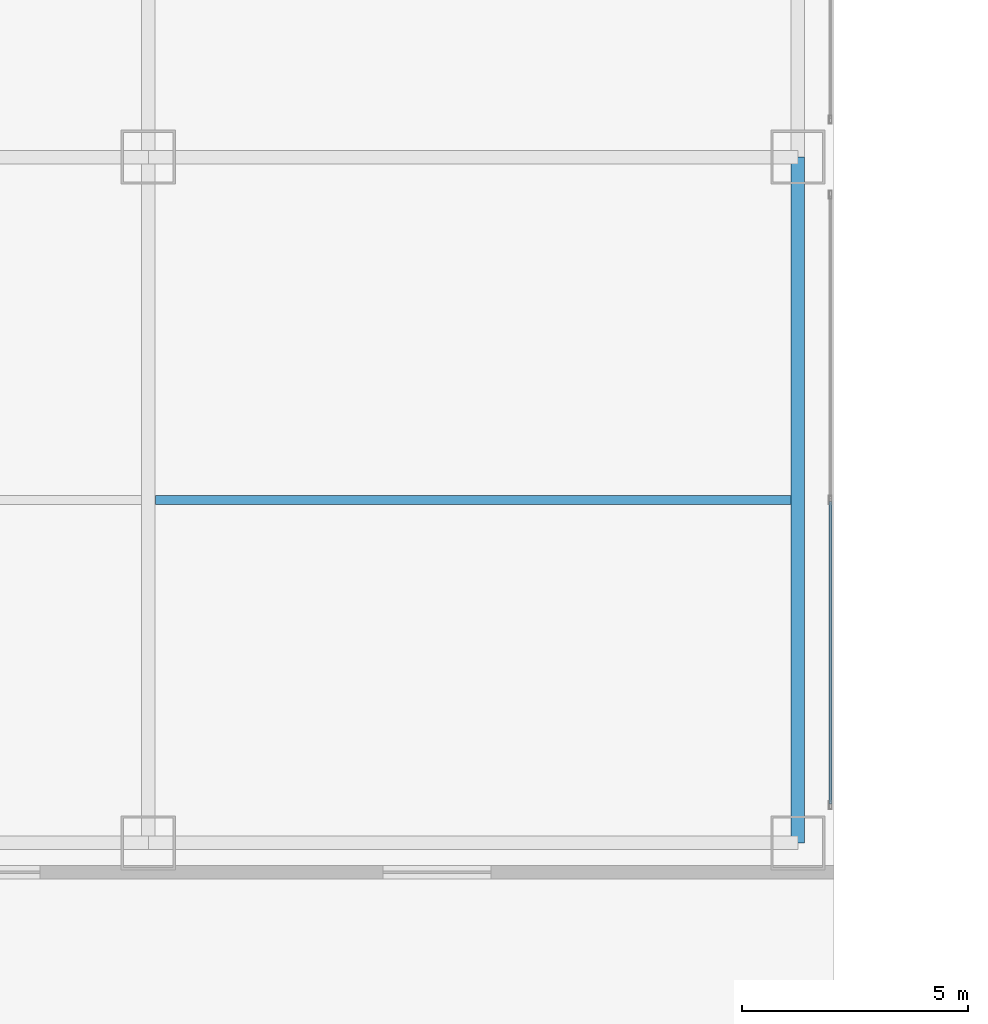
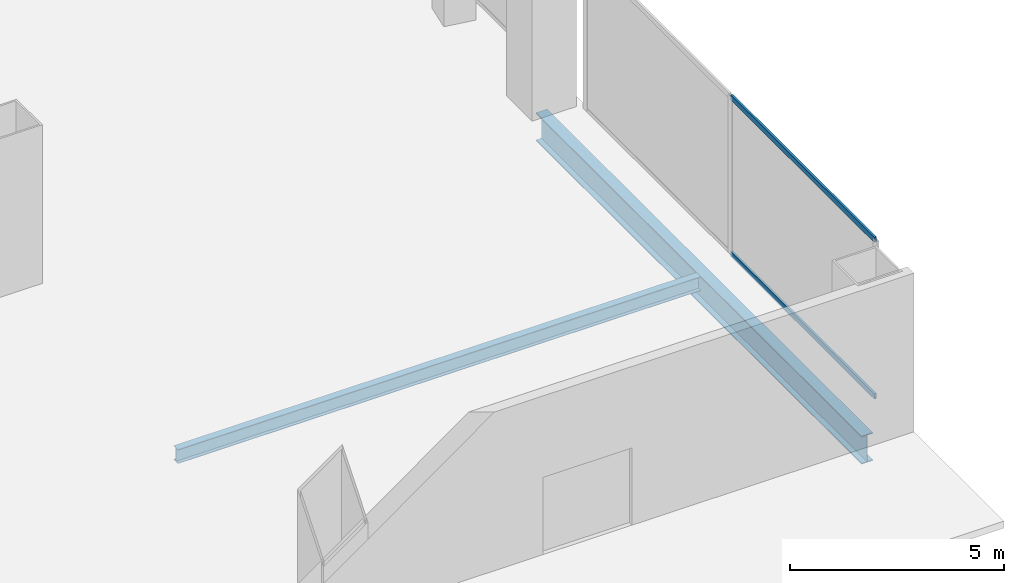
# One storey, part 18 of 58: 2 beams, 2 members, 1 element without a shape of its own.
"""IFC4 building model written with IfcOpenShell, lengths in metres."""

from ifc_helpers import new_model, si_unit, direction, frame, origin, origin_2d, place, context, subcontext, project, spatial, hollow_rectangle, i_section, extrude, source, transform, mapped, material, layer, layer_set, material_profile, profile_set, type_object, element, aggregate, save


model = new_model("IFC4")

# Units and contexts
model_context = context("Model", 3, precision=1e-05, world=origin(), true_north=direction((0.0, 1.0)))
body_context = subcontext(model_context, "Body", "Model", "MODEL_VIEW")
ifc_project = project(units=[si_unit("LENGTHUNIT", "METRE"), si_unit("AREAUNIT", "SQUARE_METRE"), si_unit("VOLUMEUNIT", "CUBIC_METRE"), si_unit("PLANEANGLEUNIT", "RADIAN"), si_unit("MASSUNIT", "GRAM", prefix="KILO"), si_unit("THERMODYNAMICTEMPERATUREUNIT", "KELVIN"), si_unit("POWERUNIT", "WATT")], contexts=[model_context])

# Site, building, storey
site_placement = place(None, origin())
site = spatial("IfcSite", under=ifc_project, at=site_placement, CompositionType="ELEMENT")
building_placement = place(site_placement, origin())
building = spatial("IfcBuilding", under=site, at=building_placement, Name="Yunzhuo Pagoda Commons", CompositionType="ELEMENT")
storey_placement = place(building_placement, origin())
storey = spatial("IfcBuildingStorey", under=building, at=storey_placement, Name="L01", CompositionType="ELEMENT", Elevation=0.0)

# Beams
ifc_material_1 = material(Name="Structural steel Q355B", Category="steel")
ifc_material_profile_1 = material_profile(ifc_material_1, i_section(OverallWidth=0.300048828125, OverallDepth=0.800048828125, WebThickness=0.013916015625, FlangeThickness=0.02587890625, at=origin_2d()), Name="Structural steel Q355B")
ifc_profile_set_1 = profile_set([ifc_material_profile_1], Name="Structural steel Q355B")
beam_type_1 = type_object("IfcBeamType", Name="B-PD2 Beam HN 800x300x14x26", PredefinedType="BEAM", material=ifc_profile_set_1)
shared_shape_1 = source(origin(), body_context, "Body", "SweptSolid", [
    extrude(i_section(OverallWidth=0.300048828125, OverallDepth=0.800048828125, WebThickness=0.013916015625, FlangeThickness=0.02587890625, at=origin_2d()), origin(), (0.0, 0.0, 1.0), 15.199951171875),
])
beam_1_placement = place(storey_placement, frame((91.199951171875, 6.800048828125, -0.679931640625), z_axis=(0.0, 1.0, 0.0), x_axis=(-1.0, 0.0, 0.0)))
element("IfcBeam", 1, at=beam_1_placement, inside=storey, type_object=beam_type_1, Name="L01 podium girder NS 6.1", PredefinedType="BEAM", context=body_context, shape_type="MappedRepresentation", body=[
    mapped(shared_shape_1, transform((0.0, 0.0, 0.0), scale=1.0)),
])
ifc_material_profile_2 = material_profile(ifc_material_1, i_section(OverallWidth=0.199951171875, OverallDepth=0.39990234375, WebThickness=0.008056640625, FlangeThickness=0.012939453125, at=origin_2d()), Name="Structural steel Q355B")
ifc_profile_set_2 = profile_set([ifc_material_profile_2], Name="Structural steel Q355B")
beam_type_2 = type_object("IfcBeamType", Name="B-JS1 Joist HN 400x200x8x13", PredefinedType="JOIST", material=ifc_profile_set_2)
shared_shape_2 = source(origin(), body_context, "Body", "SweptSolid", [
    extrude(i_section(OverallWidth=0.199951171875, OverallDepth=0.39990234375, WebThickness=0.008056640625, FlangeThickness=0.012939453125, at=origin_2d()), origin(), (0.0, 0.0, 1.0), 14.08984375),
])
beam_2_placement = place(storey_placement, frame((76.955078125, 14.39990234375, -0.479736328125), z_axis=(1.0, 0.0, 0.0), x_axis=(0.0, 1.0, 0.0)))
element("IfcBeam", 2, at=beam_2_placement, inside=storey, type_object=beam_type_2, Name="L01 podium composite joist 5.1", PredefinedType="JOIST", context=body_context, shape_type="MappedRepresentation", body=[
    mapped(shared_shape_2, transform((0.0, 0.0, 0.0), scale=1.0)),
])

# Curtain wall, members
ifc_material_2 = material(Name="Anodized aluminium 6063-T6", Category="aluminium")
ifc_layer = layer(ifc_material_2, 0.179931640625)
ifc_layer_set = layer_set([ifc_layer], Name="Anodized aluminium 6063-T6")
curtain_wall_type = type_object("IfcCurtainWallType", Name="CW-POD Waterfront Podium Curtain Wall", PredefinedType="NOTDEFINED", material=ifc_layer_set)
curtain_wall_placement = place(storey_placement, origin())
curtain_wall = element("IfcCurtainWall", 3, at=curtain_wall_placement, inside=storey, type_object=curtain_wall_type, Name="L01 curtain wall CW-L01-E1", PredefinedType="NOTDEFINED")
ifc_material_profile_3 = material_profile(ifc_material_2, hollow_rectangle(XDim=0.06005859375, YDim=0.14990234375, WallThickness=0.00390625, at=origin_2d()), Name="Anodized aluminium 6063-T6")
ifc_profile_set_3 = profile_set([ifc_material_profile_3], Name="Anodized aluminium 6063-T6")
member_type = type_object("IfcMemberType", Name="CW-POD-T Transom RHS 150x60x4", PredefinedType="USERDEFINED", material=ifc_profile_set_3)
shared_shape_3 = source(origin(), body_context, "Body", "SweptSolid", [
    extrude(hollow_rectangle(XDim=0.06005859375, YDim=0.14990234375, WallThickness=0.00390625, at=origin_2d()), origin(), (0.0, 0.0, 1.0), 6.702392578125),
])
member_1_placement = place(storey_placement, frame((91.919921875, 7.6650390625, 0.030029296875), z_axis=(0.0, 1.0, 0.0), x_axis=(-1.0, 0.0, 0.0)))
member_1 = element("IfcMember", 4, at=member_1_placement, type_object=member_type, Name="CW transom 1.1", ObjectType="TRANSOM", PredefinedType="USERDEFINED", context=body_context, shape_type="MappedRepresentation", body=[
    mapped(shared_shape_3, transform((0.0, 0.0, 0.0), scale=1.0)),
])
member_2_placement = place(storey_placement, frame((91.919921875, 7.6650390625, 4.489990234375), z_axis=(0.0, 1.0, 0.0), x_axis=(-1.0, 0.0, 0.0)))
member_2 = element("IfcMember", 5, at=member_2_placement, type_object=member_type, Name="CW transom 1.2", ObjectType="TRANSOM", PredefinedType="USERDEFINED", context=body_context, shape_type="MappedRepresentation", body=[
    mapped(shared_shape_3, transform((0.0, 0.0, 0.0), scale=1.0)),
])
aggregate(curtain_wall, [member_1, member_2])

save(model, "model.ifc")
